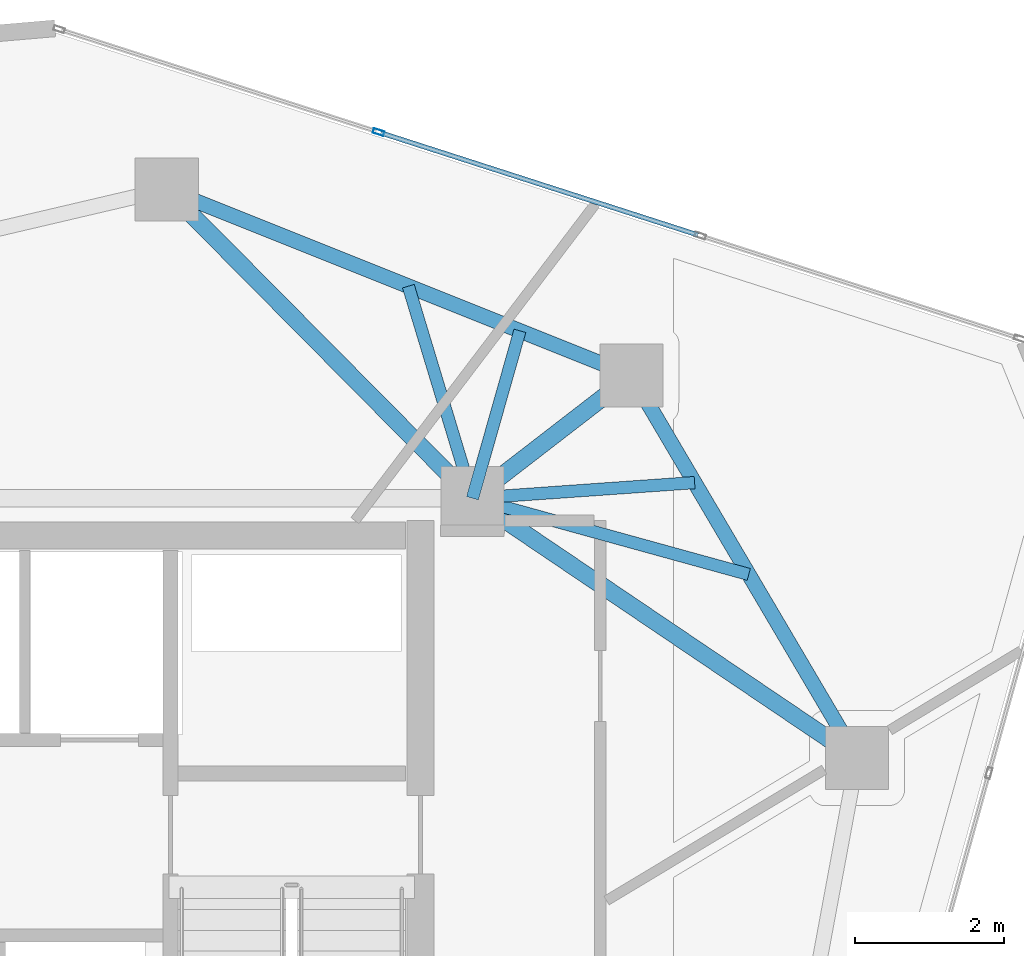
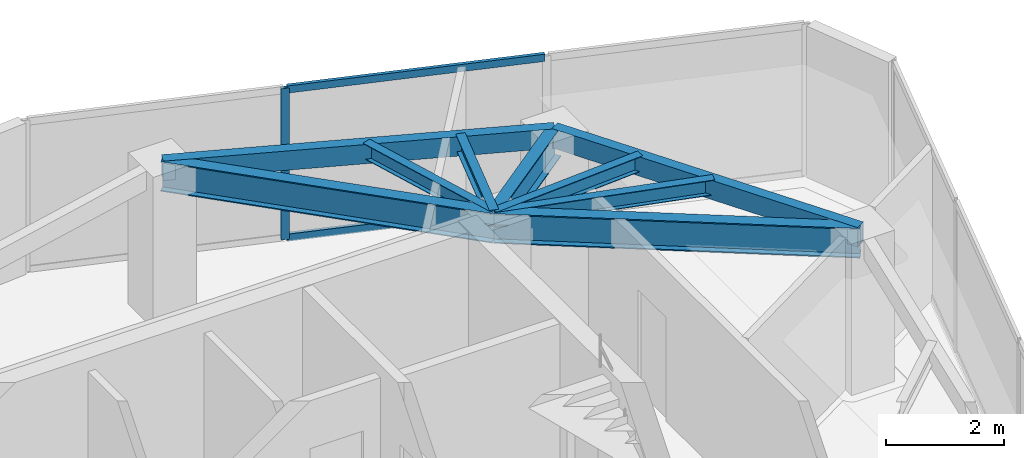
# One storey, part 13 of 20: 9 beams, 3 members, 1 element without a shape of its own.
"""IFC4 building model written with IfcOpenShell, lengths in metres."""

import ifcopenshell
import ifcopenshell.guid

model = None  # the IFC model being written
_history = None  # IfcOwnerHistory: only IFC2X3 demands one
_inside = {}  # id of a spatial element -> (the spatial element, [elements in it])
_under = {}  # id of a project, library or spatial element -> (it, [spatial elements below it])
_declared = {}  # id of a project -> (the project, [libraries it declares])
_typed = {}  # id of a type object -> (the type object, [elements of that type])
_made_of = {}  # id of a material, layer set ... -> (it, [elements and type objects made of it])


def new_model(schema):
    """Start an empty IFC model of exactly this schema.

    Asked for "IFC4X3", IfcOpenShell would pick the latest addendum, in which some entities
    have other attributes; the version numbers below select the first issue.
    IFC2X3 requires an IfcOwnerHistory on every rooted entity: one is made here for all.
    """
    global model, _history
    if schema == "IFC4X3":
        model = ifcopenshell.file(schema_version=(4, 3, 0, 0))
    else:
        model = ifcopenshell.file(schema=schema)
    _inside.clear()
    _under.clear()
    _declared.clear()
    _typed.clear()
    _made_of.clear()
    _history = None
    if model.schema == "IFC2X3":
        org = make("IfcOrganization", Name="unknown")
        user = make(
            "IfcPersonAndOrganization",
            ThePerson=make("IfcPerson", FamilyName="unknown"),
            TheOrganization=org,
        )
        app = make(
            "IfcApplication",
            ApplicationDeveloper=org,
            Version="unknown",
            ApplicationFullName="unknown",
            ApplicationIdentifier="unknown",
        )
        _history = make(
            "IfcOwnerHistory",
            OwningUser=user,
            OwningApplication=app,
            ChangeAction="ADDED",
            CreationDate=0,
        )
    return model


def make(cls, **values):
    """One entity of the class cls with the attributes given. An attribute that is None is left unset."""
    return model.create_entity(
        cls, **{name: value for name, value in values.items() if value is not None}
    )


def rooted(cls, **values):
    """An entity with a GlobalId (a new one), such as an element, a storey or a relation."""
    return make(cls, GlobalId=ifcopenshell.guid.new(), OwnerHistory=_history, **values)


def si_unit(unit_type, name, prefix=None):
    """IfcSIUnit, for example si_unit("LENGTHUNIT", "METRE", prefix="MILLI")."""
    return make("IfcSIUnit", UnitType=unit_type, Prefix=prefix, Name=name)


def assignment(units):
    """IfcUnitAssignment: the units of a project."""
    return None if units is None else make("IfcUnitAssignment", Units=units)


def point(xyz):
    """IfcCartesianPoint."""
    return None if xyz is None else make("IfcCartesianPoint", Coordinates=xyz)


def direction(xyz):
    """IfcDirection."""
    return None if xyz is None else make("IfcDirection", DirectionRatios=xyz)


def frame(location, z_axis=None, x_axis=None):
    """IfcAxis2Placement3D, a coordinate frame: its origin and axes. An axis left out is left unset."""
    return make(
        "IfcAxis2Placement3D",
        Location=point(location),
        Axis=direction(z_axis),
        RefDirection=direction(x_axis),
    )


def frame_2d(location, x_axis=None):
    """IfcAxis2Placement2D, a coordinate frame in the plane: its origin and x axis."""
    return make(
        "IfcAxis2Placement2D", Location=point(location), RefDirection=direction(x_axis)
    )


def origin():
    """The frame at (0, 0, 0) with its axes left unset."""
    return frame((0.0, 0.0, 0.0))


def origin_2d():
    """The frame at (0, 0) in the plane with its x axis left unset."""
    return frame_2d((0.0, 0.0))


def place(relative_to, where):
    """IfcLocalPlacement: puts the frame where relative to a parent placement (None: the world)."""
    return make(
        "IfcLocalPlacement", PlacementRelTo=relative_to, RelativePlacement=where
    )


def context(
    kind, dimensions, precision=None, world=None, true_north=None, identifier=None
):
    """IfcGeometricRepresentationContext, for example the 3D "Model" context."""
    return make(
        "IfcGeometricRepresentationContext",
        ContextIdentifier=identifier,
        ContextType=kind,
        CoordinateSpaceDimension=dimensions,
        Precision=precision,
        WorldCoordinateSystem=world,
        TrueNorth=true_north,
    )


def subcontext(parent, identifier, kind, view, scale=None):
    """IfcGeometricRepresentationSubContext, for example "Body" below "Model"."""
    return make(
        "IfcGeometricRepresentationSubContext",
        ContextIdentifier=identifier,
        ContextType=kind,
        ParentContext=parent,
        TargetScale=scale,
        TargetView=view,
    )


def project(units=None, contexts=None):
    """IfcProject with its units and contexts."""
    return rooted(
        "IfcProject",
        Name="project",
        RepresentationContexts=contexts,
        UnitsInContext=assignment(units),
    )


def spatial(cls, under=None, at=None, **own):
    """A site, building, storey or space (cls), placed at a placement, below another one or the project."""
    s = rooted(cls, ObjectPlacement=at, **own)
    if under is not None:
        _under.setdefault(under.id(), (under, []))[1].append(s)
    return s


def profile(cls, at=None, kind="AREA", **sizes):
    """A parametric profile (cls). Its sizes go by their IFC names, for example OverallWidth=200.0."""
    return make(cls, ProfileType=kind, Position=at, **sizes)


def hollow_rectangle(**sizes):
    """IfcRectangleHollowProfileDef."""
    return profile("IfcRectangleHollowProfileDef", **sizes)


def i_section(**sizes):
    """IfcIShapeProfileDef."""
    return profile("IfcIShapeProfileDef", **sizes)


def extrude(swept, where, along, depth):
    """IfcExtrudedAreaSolid: the profile swept, set in the frame where, extruded along a direction by depth."""
    return make(
        "IfcExtrudedAreaSolid",
        SweptArea=swept,
        Position=where,
        ExtrudedDirection=direction(along),
        Depth=depth,
    )


def shape(context_of_items, identifier, shape_type, items):
    """IfcShapeRepresentation: the items that make up one representation, for example the "Body"."""
    return make(
        "IfcShapeRepresentation",
        ContextOfItems=context_of_items,
        RepresentationIdentifier=identifier,
        RepresentationType=shape_type,
        Items=items,
    )


def source(mapping_origin, context_of_items, identifier, shape_type, items):
    """IfcRepresentationMap: a shape defined once, which mapped items show again and again."""
    return make(
        "IfcRepresentationMap",
        MappingOrigin=mapping_origin,
        MappedRepresentation=shape(context_of_items, identifier, shape_type, items),
    )


def transform(
    local_origin,
    x_axis=None,
    y_axis=None,
    z_axis=None,
    scale=None,
    scale2=None,
    scale3=None,
    uniform=True,
):
    """IfcCartesianTransformationOperator3D, or its non-uniform kind. x_axis, y_axis, z_axis: its Axis1, 2, 3."""
    if uniform:
        return make(
            "IfcCartesianTransformationOperator3D",
            Axis1=direction(x_axis),
            Axis2=direction(y_axis),
            LocalOrigin=point(local_origin),
            Scale=scale,
            Axis3=direction(z_axis),
        )
    return make(
        "IfcCartesianTransformationOperator3DnonUniform",
        Axis1=direction(x_axis),
        Axis2=direction(y_axis),
        LocalOrigin=point(local_origin),
        Scale=scale,
        Axis3=direction(z_axis),
        Scale2=scale2,
        Scale3=scale3,
    )


def mapped(mapping_source, mapping_target):
    """IfcMappedItem: shows the shape of a source again, moved by a transform."""
    return make(
        "IfcMappedItem", MappingSource=mapping_source, MappingTarget=mapping_target
    )


def material(Name=None, Category=None):
    """IfcMaterial."""
    return make("IfcMaterial", Name=Name, Category=Category)


def layer(
    of_material, thickness, ventilated=None, Name=None, Category=None, Priority=None
):
    """IfcMaterialLayer: one layer of a wall or slab, of a material (None: an air gap)."""
    return make(
        "IfcMaterialLayer",
        Material=of_material,
        LayerThickness=thickness,
        IsVentilated=ventilated,
        Name=Name,
        Category=Category,
        Priority=Priority,
    )


def layer_set(layers, Name=None):
    """IfcMaterialLayerSet."""
    return make("IfcMaterialLayerSet", MaterialLayers=layers, LayerSetName=Name)


def material_profile(
    of_material, cross_section, Name=None, Category=None, Priority=None
):
    """IfcMaterialProfile: a cross section and its material."""
    return make(
        "IfcMaterialProfile",
        Name=Name,
        Material=of_material,
        Profile=cross_section,
        Priority=Priority,
        Category=Category,
    )


def profile_set(profiles, Name=None, composite=None):
    """IfcMaterialProfileSet."""
    return make(
        "IfcMaterialProfileSet",
        Name=Name,
        MaterialProfiles=profiles,
        CompositeProfile=composite,
    )


def made_of(thing, what):
    """Note that an element or type object is made of a material, layer set ...; save() writes the relation."""
    if what is not None:
        _made_of.setdefault(what.id(), (what, []))[1].append(thing)
    return thing


def type_object(cls, material=None, **own):
    """A type object (cls), such as IfcWallType, which elements share."""
    return made_of(rooted(cls, **own), material)


def type_shapes(of_type, sources):
    """Give a type object the sources (RepresentationMaps) that its elements show as mapped items."""
    of_type.RepresentationMaps = sources


def element(
    cls,
    number,
    at=None,
    inside=None,
    cuts=None,
    type_object=None,
    material=None,
    context=None,
    identifier="Body",
    shape_type=None,
    held_by="IfcProductDefinitionShape",
    body=None,
    shapes=None,
    **own,
):
    """One element of the class cls, such as IfcWall. Its Tag is "e" and its number.

    at: its placement. inside: the storey or other place that contains it. cuts: it is an
    opening in that element (IfcRelVoidsElement). A single representation is given by context,
    identifier, shape_type and body (its items); several are given by shapes. held_by: the class
    of the entity that holds the representations. save() writes the other relations.
    """
    e = rooted(cls, Tag="e%d" % number, ObjectPlacement=at, **own)
    if body is not None:
        shapes = [shape(context, identifier, shape_type, body)]
    if shapes is not None:
        e.Representation = make(held_by, Representations=shapes)
    if inside is not None:
        _inside.setdefault(inside.id(), (inside, []))[1].append(e)
    if cuts is not None:
        rooted(
            "IfcRelVoidsElement", RelatingBuildingElement=cuts, RelatedOpeningElement=e
        )
    if type_object is not None:
        _typed.setdefault(type_object.id(), (type_object, []))[1].append(e)
    return made_of(e, material)


def aggregate(whole, parts):
    """IfcRelAggregates: a whole, such as a stair, and the parts it consists of."""
    return rooted("IfcRelAggregates", RelatingObject=whole, RelatedObjects=parts)


def save(model, path):
    """Write the relations noted so far, then the file.

    IfcRelAggregates (storeys below a building ...), IfcRelContainedInSpatialStructure (elements
    in a storey), IfcRelDefinesByType, IfcRelAssociatesMaterial and IfcRelDeclares: one each for
    every whole, place, type object, material and project.
    """
    for whole, parts in _under.values():
        aggregate(whole, parts)
    for where, things in _inside.values():
        rooted(
            "IfcRelContainedInSpatialStructure",
            RelatedElements=things,
            RelatingStructure=where,
        )
    for kind, things in _typed.values():
        rooted("IfcRelDefinesByType", RelatedObjects=things, RelatingType=kind)
    for what, things in _made_of.values():
        rooted("IfcRelAssociatesMaterial", RelatedObjects=things, RelatingMaterial=what)
    for by, libraries in _declared.values():
        rooted("IfcRelDeclares", RelatingContext=by, RelatedDefinitions=libraries)
    model.write(path)


model = new_model("IFC4")

# Units and contexts
model_context = context("Model", 3, precision=1e-05, world=origin(), true_north=direction((0.0, 1.0)))
body_context = subcontext(model_context, "Body", "Model", "MODEL_VIEW")
ifc_project = project(units=[si_unit("LENGTHUNIT", "METRE"), si_unit("AREAUNIT", "SQUARE_METRE"), si_unit("VOLUMEUNIT", "CUBIC_METRE"), si_unit("PLANEANGLEUNIT", "RADIAN"), si_unit("MASSUNIT", "GRAM", prefix="KILO")], contexts=[model_context])

# Site, building, storey
site_placement = place(None, origin())
site = spatial("IfcSite", under=ifc_project, at=site_placement, CompositionType="ELEMENT")
building_placement = place(site_placement, origin())
building = spatial("IfcBuilding", under=site, at=building_placement, Name="Talar Marvaseh", CompositionType="ELEMENT")
storey_placement = place(building_placement, frame((0.0, 0.0, 254.39990234375)))
storey = spatial("IfcBuildingStorey", under=building, at=storey_placement, Name="L67", CompositionType="ELEMENT", Elevation=254.39990234375)

# Beams
ifc_material_1 = material(Name="Steel S355", Category="steel")
ifc_material_profile_1 = material_profile(ifc_material_1, hollow_rectangle(XDim=0.199951171875, YDim=0.39990234375, WallThickness=0.013916015625, at=origin_2d()), Name="RHS400x200x14")
ifc_profile_set_1 = profile_set([ifc_material_profile_1], Name="Steel S355")
beam_type_1 = type_object("IfcBeamType", Name="Zone 3 Perimeter Spandrel Beam RHS400x200x14", PredefinedType="SPANDREL", material=ifc_profile_set_1)
beam_1_placement = place(storey_placement, frame((29.18798828125, 41.052001953125, 2.940185546875), z_axis=(0.928426659475, -0.371515730456, 0.0), x_axis=(0.371515730456, 0.928426659475, 0.0)))
element("IfcBeam", 1, at=beam_1_placement, inside=storey, type_object=beam_type_1, Name="L67 Zone 3 Perimeter Spandrel Beam RHS400x200x14", PredefinedType="SPANDREL", context=body_context, shape_type="SweptSolid", body=[
    extrude(hollow_rectangle(XDim=0.199951171875, YDim=0.39990234375, WallThickness=0.013916015625, at=origin_2d()), origin(), (0.0, 0.0, 1.0), 6.73193359375),
])
beam_2_placement = place(storey_placement, frame((35.43798828125, 38.551025390625, 2.940185546875), z_axis=(0.507825587611, -0.861459907696, 0.0), x_axis=(0.861459907696, 0.507825587611, 0.0)))
element("IfcBeam", 2, at=beam_2_placement, inside=storey, type_object=beam_type_1, Name="L67 Zone 3 Perimeter Spandrel Beam RHS400x200x14", PredefinedType="SPANDREL", context=body_context, shape_type="SweptSolid", body=[
    extrude(hollow_rectangle(XDim=0.199951171875, YDim=0.39990234375, WallThickness=0.013916015625, at=origin_2d()), origin(), (0.0, 0.0, 1.0), 5.972412109375),
])
ifc_material_profile_2 = material_profile(ifc_material_1, i_section(OverallWidth=0.166015625, OverallDepth=0.31298828125, WebThickness=0.006591796875, FlangeThickness=0.01123046875, at=origin_2d()), Name="W310x45")
ifc_profile_set_2 = profile_set([ifc_material_profile_2], Name="Steel S355")
beam_type_2 = type_object("IfcBeamType", Name="Zone 3 Secondary Floor Joist W310x45", PredefinedType="JOIST", material=ifc_profile_set_2)
beam_3_placement = place(storey_placement, frame((32.43798828125, 39.75146484375, 2.983642578125), z_axis=(0.289377277289, -0.957215122837, 0.0), x_axis=(0.957215122837, 0.289377277289, 0.0)))
element("IfcBeam", 3, at=beam_3_placement, inside=storey, type_object=beam_type_2, Name="L67 Zone 3 Secondary Floor Joist W310x45", PredefinedType="JOIST", context=body_context, shape_type="SweptSolid", body=[
    extrude(i_section(OverallWidth=0.166015625, OverallDepth=0.31298828125, WebThickness=0.006591796875, FlangeThickness=0.01123046875, at=origin_2d()), origin(), (0.0, 0.0, 1.0), 2.97900390625),
])
beam_4_placement = place(storey_placement, frame((33.93798828125, 39.151123046875, 2.983642578125), z_axis=(-0.272639596879, -0.962116235293, 0.0), x_axis=(0.962116235293, -0.272639596879, 0.0)))
element("IfcBeam", 4, at=beam_4_placement, inside=storey, type_object=beam_type_2, Name="L67 Zone 3 Secondary Floor Joist W310x45", PredefinedType="JOIST", context=body_context, shape_type="SweptSolid", body=[
    extrude(i_section(OverallWidth=0.166015625, OverallDepth=0.31298828125, WebThickness=0.006591796875, FlangeThickness=0.01123046875, at=origin_2d()), origin(), (0.0, 0.0, 1.0), 2.33984375),
])
beam_5_placement = place(storey_placement, frame((36.287109375, 37.1103515625, 2.983642578125), z_axis=(-0.99752734531, -0.070279409208, 0.0), x_axis=(0.070279409208, -0.99752734531, 0.0)))
element("IfcBeam", 5, at=beam_5_placement, inside=storey, type_object=beam_type_2, Name="L67 Zone 3 Secondary Floor Joist W310x45", PredefinedType="JOIST", context=body_context, shape_type="SweptSolid", body=[
    extrude(i_section(OverallWidth=0.166015625, OverallDepth=0.31298828125, WebThickness=0.006591796875, FlangeThickness=0.01123046875, at=origin_2d()), origin(), (0.0, 0.0, 1.0), 2.994384765625),
])
beam_6_placement = place(storey_placement, frame((37.01513671875, 35.87548828125, 2.983642578125), z_axis=(-0.964021733175, 0.265823433818, 0.0), x_axis=(-0.265823433818, -0.964021733175, 0.0)))
element("IfcBeam", 6, at=beam_6_placement, inside=storey, type_object=beam_type_2, Name="L67 Zone 3 Secondary Floor Joist W310x45", PredefinedType="JOIST", context=body_context, shape_type="SweptSolid", body=[
    extrude(i_section(OverallWidth=0.166015625, OverallDepth=0.31298828125, WebThickness=0.006591796875, FlangeThickness=0.01123046875, at=origin_2d()), origin(), (0.0, 0.0, 1.0), 3.853759765625),
])
ifc_material_profile_3 = material_profile(ifc_material_1, i_section(OverallWidth=0.22998046875, OverallDepth=0.616943359375, WebThickness=0.01318359375, FlangeThickness=0.022216796875, at=origin_2d()), Name="W610x140")
ifc_profile_set_3 = profile_set([ifc_material_profile_3], Name="Steel S355")
beam_type_3 = type_object("IfcBeamType", Name="Zone 4 Radial Floor Girder W610x140", PredefinedType="BEAM", material=ifc_profile_set_3)
beam_7_placement = place(storey_placement, frame((29.18798828125, 41.052001953125, 2.83154296875), z_axis=(0.703672658083, -0.710524306598, 0.0), x_axis=(0.710524306598, 0.703672658083, 0.0)))
element("IfcBeam", 7, at=beam_7_placement, inside=storey, type_object=beam_type_3, Name="L67 Zone 4 Radial Floor Girder W610x140", PredefinedType="BEAM", context=body_context, shape_type="SweptSolid", body=[
    extrude(i_section(OverallWidth=0.22998046875, OverallDepth=0.616943359375, WebThickness=0.01318359375, FlangeThickness=0.022216796875, at=origin_2d()), origin(), (0.0, 0.0, 1.0), 5.84375),
])
beam_8_placement = place(storey_placement, frame((35.43798828125, 38.551025390625, 2.83154296875), z_axis=(-0.791449946636, -0.611233982996, 0.0), x_axis=(0.611233982996, -0.791449946636, 0.0)))
element("IfcBeam", 8, at=beam_8_placement, inside=storey, type_object=beam_type_3, Name="L67 Zone 4 Radial Floor Girder W610x140", PredefinedType="BEAM", context=body_context, shape_type="SweptSolid", body=[
    extrude(i_section(OverallWidth=0.22998046875, OverallDepth=0.616943359375, WebThickness=0.01318359375, FlangeThickness=0.022216796875, at=origin_2d()), origin(), (0.0, 0.0, 1.0), 2.701416015625),
])
beam_9_placement = place(storey_placement, frame((38.470947265625, 33.406005859375, 2.83154296875), z_axis=(-0.828585535277, 0.559862492698, 0.0), x_axis=(-0.559862492698, -0.828585535277, 0.0)))
element("IfcBeam", 9, at=beam_9_placement, inside=storey, type_object=beam_type_3, Name="L67 Zone 4 Radial Floor Girder W610x140", PredefinedType="BEAM", context=body_context, shape_type="SweptSolid", body=[
    extrude(i_section(OverallWidth=0.22998046875, OverallDepth=0.616943359375, WebThickness=0.01318359375, FlangeThickness=0.022216796875, at=origin_2d()), origin(), (0.0, 0.0, 1.0), 6.24072265625),
])

# Curtain wall, members
ifc_material_2 = material(Name="Architectural Aluminium", Category="aluminium")
ifc_layer = layer(ifc_material_2, 0.179931640625)
ifc_layer_set = layer_set([ifc_layer], Name="Architectural Aluminium")
curtain_wall_type = type_object("IfcCurtainWallType", Name="Unitised High-Wind Sky Curtain Wall Z4", PredefinedType="NOTDEFINED", material=ifc_layer_set)
curtain_wall_placement = place(storey_placement, origin())
curtain_wall = element("IfcCurtainWall", 10, at=curtain_wall_placement, inside=storey, type_object=curtain_wall_type, Name="L67 Unitised High-Wind Sky Curtain Wall Z4", PredefinedType="NOTDEFINED")
ifc_material_profile_4 = material_profile(ifc_material_2, hollow_rectangle(XDim=0.06494140625, YDim=0.14990234375, WallThickness=0.00390625, at=origin_2d()), Name="RHS150x65x4")
ifc_profile_set_4 = profile_set([ifc_material_profile_4], Name="Architectural Aluminium")
member_type_1 = type_object("IfcMemberType", Name="Unitised Curtain Wall Slim Transom RHS150x65x4", PredefinedType="USERDEFINED", material=ifc_profile_set_4)
shared_shape_1 = source(origin(), body_context, "Body", "SweptSolid", [
    extrude(hollow_rectangle(XDim=0.06494140625, YDim=0.14990234375, WallThickness=0.00390625, at=origin_2d()), origin(), (0.0, 0.0, 1.0), 4.47998046875),
])
type_shapes(member_type_1, [shared_shape_1])
member_1_placement = place(storey_placement, frame((32.068115234375, 41.81298828125, 0.03271484375), z_axis=(0.951875918143, -0.306483664261, 0.0), x_axis=(0.306483664261, 0.951875918143, 0.0)))
member_1 = element("IfcMember", 11, at=member_1_placement, type_object=member_type_1, Name="CW-Z4 transom 2.1", ObjectType="TRANSOM", PredefinedType="USERDEFINED", context=body_context, shape_type="MappedRepresentation", body=[
    mapped(shared_shape_1, transform((0.0, 0.0, 0.0), x_axis=(1.0, 0.0, 0.0), y_axis=(0.0, 1.0, 0.0), z_axis=(0.0, 0.0, 1.0), scale=1.0)),
])
member_2_placement = place(storey_placement, frame((32.068115234375, 41.81298828125, 3.107666015625), z_axis=(0.951875918143, -0.306483664261, 0.0), x_axis=(0.306483664261, 0.951875918143, 0.0)))
member_2 = element("IfcMember", 12, at=member_2_placement, type_object=member_type_1, Name="CW-Z4 transom 2.2", ObjectType="TRANSOM", PredefinedType="USERDEFINED", context=body_context, shape_type="MappedRepresentation", body=[
    mapped(shared_shape_1, transform((0.0, 0.0, 0.0), x_axis=(1.0, 0.0, 0.0), y_axis=(0.0, 1.0, 0.0), z_axis=(0.0, 0.0, 1.0), scale=1.0)),
])
ifc_material_profile_5 = material_profile(ifc_material_2, hollow_rectangle(XDim=0.06494140625, YDim=0.14990234375, WallThickness=0.00390625, at=origin_2d()), Name="RHS150x65x4")
ifc_profile_set_5 = profile_set([ifc_material_profile_5], Name="Architectural Aluminium")
member_type_2 = type_object("IfcMemberType", Name="Unitised Curtain Wall Slim Mullion RHS150x65x4", PredefinedType="MULLION", material=ifc_profile_set_5)
shared_shape_2 = source(origin(), body_context, "Body", "SweptSolid", [
    extrude(hollow_rectangle(XDim=0.06494140625, YDim=0.14990234375, WallThickness=0.00390625, at=origin_2d()), origin(), (0.0, 0.0, 1.0), 3.14013671875),
])
type_shapes(member_type_2, [shared_shape_2])
member_3_placement = place(storey_placement, frame((32.037353515625, 41.82275390625, 0.0), z_axis=(0.0, 0.0, 1.0), x_axis=(0.306468293294, 0.951880867129, 0.0)))
member_3 = element("IfcMember", 13, at=member_3_placement, type_object=member_type_2, Name="CW-Z4 mullion 2", PredefinedType="MULLION", context=body_context, shape_type="MappedRepresentation", body=[
    mapped(shared_shape_2, transform((0.0, 0.0, 0.0), x_axis=(1.0, 0.0, 0.0), y_axis=(0.0, 1.0, 0.0), z_axis=(0.0, 0.0, 1.0), scale=1.0)),
])
aggregate(curtain_wall, [member_3, member_1, member_2])

save(model, "model.ifc")
